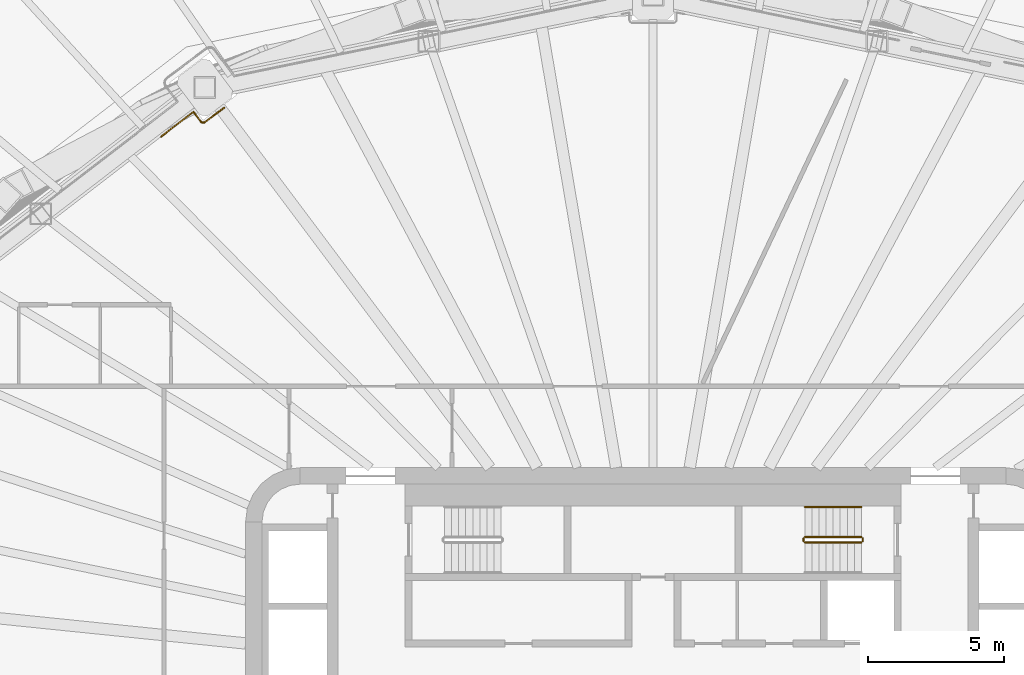
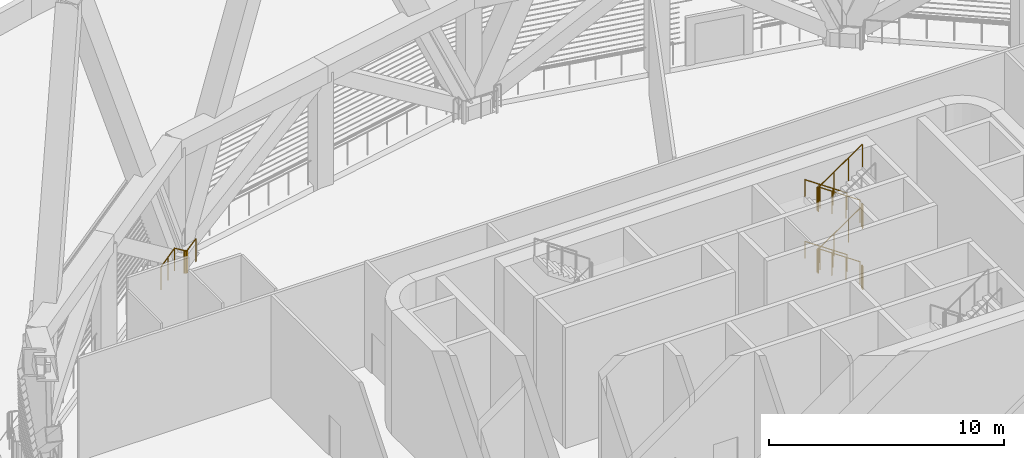
# One storey, part 22 of 27: 11 railings.
"""IFC4 building model written with IfcOpenShell, lengths in metres."""

from ifc_helpers import new_model, si_unit, direction, frame, origin, origin_2d, place, context, subcontext, project, spatial, circle, extrude, material, type_object, element, save


model = new_model("IFC4")

# Units and contexts
model_context = context("Model", 3, precision=1e-05, world=origin(), true_north=direction((0.0, 1.0)))
body_context = subcontext(model_context, "Body", "Model", "MODEL_VIEW")
ifc_project = project(units=[si_unit("LENGTHUNIT", "METRE"), si_unit("AREAUNIT", "SQUARE_METRE"), si_unit("VOLUMEUNIT", "CUBIC_METRE"), si_unit("PLANEANGLEUNIT", "RADIAN"), si_unit("MASSUNIT", "GRAM", prefix="KILO")], contexts=[model_context])

# Site, building, storey
site_placement = place(None, origin())
site = spatial("IfcSite", under=ifc_project, at=site_placement, CompositionType="ELEMENT")
building_placement = place(site_placement, origin())
building = spatial("IfcBuilding", under=site, at=building_placement, Name="Sahrelin Media Tower", CompositionType="ELEMENT")
storey_placement = place(building_placement, frame((0.0, 0.0, 44.0)))
storey = spatial("IfcBuildingStorey", under=building, at=storey_placement, Name="L06", CompositionType="ELEMENT", Elevation=44.0)

# Railings
ifc_material_1 = material(Name="Stainless steel 316", Category="steel")
railing_type_1 = type_object("IfcRailingType", Name="Maintenance platform guard", PredefinedType="GUARDRAIL", material=ifc_material_1)
railing_1_placement = place(storey_placement, frame((-18.108154296875, 20.19140625, 0.0)))
element("IfcRailing", 1, at=railing_1_placement, inside=storey, type_object=railing_type_1, Name="Plant level edge guard 5", PredefinedType="GUARDRAIL", context=body_context, shape_type="SweptSolid", body=[
    extrude(circle(Radius=0.02392578125, at=origin_2d()), frame((0.0, 0.0, 1.17578125), z_axis=(0.792496907221, 0.609875931682, 0.0), x_axis=(-0.609875931682, 0.792496907221, 0.0)), (0.0, 0.0, 1.0), 1.5),
    extrude(circle(Radius=0.02392578125, at=origin_2d()), frame((1.188720703125, 0.914794921875, 1.17578125), z_axis=(0.6, -0.8, 0.0), x_axis=(0.8, 0.6, 0.0)), (0.0, 0.0, 1.0), 0.440673828125),
    extrude(circle(Radius=0.02392578125, at=origin_2d()), frame((1.453125, 0.562255859375, 1.17578125), z_axis=(0.621394711002, -0.78349767909, 0.0), x_axis=(0.78349767909, 0.621394711002, 0.0)), (0.0, 0.0, 1.0), 0.009033203125),
    extrude(circle(Radius=0.02392578125, at=origin_2d()), frame((1.458740234375, 0.55517578125, 1.17578125), z_axis=(0.715376179206, -0.698739523875, 0.0), x_axis=(0.698739523875, 0.715376179206, 0.0)), (0.0, 0.0, 1.0), 0.0146484375),
    extrude(circle(Radius=0.02392578125, at=origin_2d()), frame((1.46923828125, 0.544921875, 1.17578125), z_axis=(0.8, -0.6, 0.0), x_axis=(0.6, 0.8, 0.0)), (0.0, 0.0, 1.0), 0.010986328125),
    extrude(circle(Radius=0.02392578125, at=origin_2d()), frame((1.47802734375, 0.538330078125, 1.17578125), z_axis=(0.82039816677, -0.571792661688, 0.0), x_axis=(0.571792661688, 0.82039816677, 0.0)), (0.0, 0.0, 1.0), 0.009765625),
    extrude(circle(Radius=0.02392578125, at=origin_2d()), frame((1.486083984375, 0.53271484375, 1.17578125), z_axis=(0.885397902838, -0.46483389899, 0.0), x_axis=(0.46483389899, 0.885397902838, 0.0)), (0.0, 0.0, 1.0), 0.010986328125),
    extrude(circle(Radius=0.02392578125, at=origin_2d()), frame((1.495849609375, 0.527587890625, 1.17578125), z_axis=(0.911586756889, -0.411107753107, 0.0), x_axis=(0.411107753107, 0.911586756889, 0.0)), (0.0, 0.0, 1.0), 0.013671875),
    extrude(circle(Radius=0.02392578125, at=origin_2d()), frame((1.50830078125, 0.52197265625, 1.17578125), z_axis=(0.967822506788, -0.251633851765, 0.0), x_axis=(0.251633851765, 0.967822506788, 0.0)), (0.0, 0.0, 1.0), 0.0126953125),
    extrude(circle(Radius=0.02392578125, at=origin_2d()), frame((1.5205078125, 0.518798828125, 1.17578125), z_axis=(0.979602700641, -0.200944143721, 0.0), x_axis=(0.200944143721, 0.979602700641, 0.0)), (0.0, 0.0, 1.0), 0.009765625),
    extrude(circle(Radius=0.02392578125, at=origin_2d()), frame((1.530029296875, 0.516845703125, 1.17578125), z_axis=(0.99503719021, -0.099503719021, 0.0), x_axis=(0.099503719021, 0.99503719021, 0.0)), (0.0, 0.0, 1.0), 0.01220703125),
    extrude(circle(Radius=0.02392578125, at=origin_2d()), frame((1.542236328125, 0.515625, 1.17578125), z_axis=(1.0, 0.0, 0.0), x_axis=(0.0, 1.0, 0.0)), (0.0, 0.0, 1.0), 0.01220703125),
    extrude(circle(Radius=0.02392578125, at=origin_2d()), frame((1.554443359375, 0.515625, 1.17578125), z_axis=(0.99522852512, 0.097571424031, 0.0), x_axis=(-0.097571424031, 0.99522852512, 0.0)), (0.0, 0.0, 1.0), 0.012451171875),
    extrude(circle(Radius=0.02392578125, at=origin_2d()), frame((1.56689453125, 0.516845703125, 1.17578125), z_axis=(0.978980419738, 0.203954254112, 0.0), x_axis=(-0.203954254112, 0.978980419738, 0.0)), (0.0, 0.0, 1.0), 0.011962890625),
    extrude(circle(Radius=0.02392578125, at=origin_2d()), frame((1.57861328125, 0.519287109375, 1.17578125), z_axis=(0.950605456491, 0.310401781711, 0.0), x_axis=(-0.310401781711, 0.950605456491, 0.0)), (0.0, 0.0, 1.0), 0.0126953125),
    extrude(circle(Radius=0.02392578125, at=origin_2d()), frame((1.590576171875, 0.523193359375, 1.17578125), z_axis=(0.91785703596, 0.396911150685, 0.0), x_axis=(-0.396911150685, 0.91785703596, 0.0)), (0.0, 0.0, 1.0), 0.009765625),
    extrude(circle(Radius=0.02392578125, at=origin_2d()), frame((1.599609375, 0.527099609375, 1.17578125), z_axis=(0.890043364859, 0.455875869806, 0.0), x_axis=(-0.455875869806, 0.890043364859, 0.0)), (0.0, 0.0, 1.0), 0.01123046875),
    extrude(circle(Radius=0.02392578125, at=origin_2d()), frame((1.609619140625, 0.5322265625, 1.17578125), z_axis=(0.828588968691, 0.559857411278, 0.0), x_axis=(-0.559857411278, 0.828588968691, 0.0)), (0.0, 0.0, 1.0), 0.010986328125),
    extrude(circle(Radius=0.02392578125, at=origin_2d()), frame((1.61865234375, 0.538330078125, 1.17578125), z_axis=(0.799865924291, 0.600178726013, 0.0), x_axis=(-0.600178726013, 0.799865924291, 0.0)), (0.0, 0.0, 1.0), 0.874267578125),
    extrude(circle(Radius=0.02099609375, at=origin_2d()), origin(), (0.0, 0.0, 1.0), 1.15185546875),
    extrude(circle(Radius=0.02099609375, at=origin_2d()), frame((0.59423828125, 0.45751953125, 0.0)), (0.0, 0.0, 1.0), 1.15185546875),
    extrude(circle(Radius=0.02099609375, at=origin_2d()), frame((1.188720703125, 0.914794921875, 0.0)), (0.0, 0.0, 1.0), 1.15185546875),
    extrude(circle(Radius=0.02099609375, at=origin_2d()), frame((1.453125, 0.562255859375, 0.0)), (0.0, 0.0, 1.0), 1.15185546875),
    extrude(circle(Radius=0.02099609375, at=origin_2d()), frame((1.458740234375, 0.55517578125, 0.0)), (0.0, 0.0, 1.0), 1.15185546875),
    extrude(circle(Radius=0.02099609375, at=origin_2d()), frame((1.46923828125, 0.544921875, 0.0)), (0.0, 0.0, 1.0), 1.15185546875),
    extrude(circle(Radius=0.02099609375, at=origin_2d()), frame((1.47802734375, 0.538330078125, 0.0)), (0.0, 0.0, 1.0), 1.15185546875),
    extrude(circle(Radius=0.02099609375, at=origin_2d()), frame((1.486083984375, 0.53271484375, 0.0)), (0.0, 0.0, 1.0), 1.15185546875),
    extrude(circle(Radius=0.02099609375, at=origin_2d()), frame((1.495849609375, 0.527587890625, 0.0)), (0.0, 0.0, 1.0), 1.15185546875),
    extrude(circle(Radius=0.02099609375, at=origin_2d()), frame((1.50830078125, 0.52197265625, 0.0)), (0.0, 0.0, 1.0), 1.15185546875),
    extrude(circle(Radius=0.02099609375, at=origin_2d()), frame((1.5205078125, 0.518798828125, 0.0)), (0.0, 0.0, 1.0), 1.15185546875),
    extrude(circle(Radius=0.02099609375, at=origin_2d()), frame((1.530029296875, 0.516845703125, 0.0)), (0.0, 0.0, 1.0), 1.15185546875),
    extrude(circle(Radius=0.02099609375, at=origin_2d()), frame((1.542236328125, 0.515625, 0.0)), (0.0, 0.0, 1.0), 1.15185546875),
    extrude(circle(Radius=0.02099609375, at=origin_2d()), frame((1.554443359375, 0.515625, 0.0)), (0.0, 0.0, 1.0), 1.15185546875),
    extrude(circle(Radius=0.02099609375, at=origin_2d()), frame((1.56689453125, 0.516845703125, 0.0)), (0.0, 0.0, 1.0), 1.15185546875),
    extrude(circle(Radius=0.02099609375, at=origin_2d()), frame((1.57861328125, 0.519287109375, 0.0)), (0.0, 0.0, 1.0), 1.15185546875),
    extrude(circle(Radius=0.02099609375, at=origin_2d()), frame((1.590576171875, 0.523193359375, 0.0)), (0.0, 0.0, 1.0), 1.15185546875),
    extrude(circle(Radius=0.02099609375, at=origin_2d()), frame((1.599609375, 0.527099609375, 0.0)), (0.0, 0.0, 1.0), 1.15185546875),
    extrude(circle(Radius=0.02099609375, at=origin_2d()), frame((1.609619140625, 0.5322265625, 0.0)), (0.0, 0.0, 1.0), 1.15185546875),
    extrude(circle(Radius=0.02099609375, at=origin_2d()), frame((1.61865234375, 0.538330078125, 0.0)), (0.0, 0.0, 1.0), 1.15185546875),
    extrude(circle(Radius=0.02099609375, at=origin_2d()), frame((2.31787109375, 1.06298828125, 0.0)), (0.0, 0.0, 1.0), 1.15185546875),
])
ifc_material_2 = material(Name="Steel S355", Category="steel")
railing_type_2 = type_object("IfcRailingType", Name="Stair guard 1200", PredefinedType="GUARDRAIL", material=ifc_material_2)
railing_2_placement = place(storey_placement, frame((7.675048828125, 5.449951171875, 0.177734375)))
element("IfcRailing", 2, at=railing_2_placement, inside=storey, type_object=railing_type_2, Name="L06 ST3 stair guard 1", PredefinedType="GUARDRAIL", context=body_context, shape_type="SweptSolid", body=[
    extrude(circle(Radius=0.02392578125, at=origin_2d()), frame((0.0, 0.0, 1.17578125), z_axis=(-0.825464074169, 0.0, 0.564454659168), x_axis=(0.0, -1.0, 0.0)), (0.0, 0.0, 1.0), 2.519775390625),
    extrude(circle(Radius=0.02099609375, at=origin_2d()), origin(), (0.0, 0.0, 1.0), 1.15185546875),
    extrude(circle(Radius=0.02099609375, at=origin_2d()), frame((-0.693359375, 0.0, 0.47412109375)), (0.0, 0.0, 1.0), 1.15185546875),
    extrude(circle(Radius=0.02099609375, at=origin_2d()), frame((-1.38671875, 0.0, 0.9482421875)), (0.0, 0.0, 1.0), 1.15185546875),
    extrude(circle(Radius=0.02099609375, at=origin_2d()), frame((-2.080078125, 0.0, 1.42236328125)), (0.0, 0.0, 1.0), 1.15185546875),
])
railing_3_placement = place(storey_placement, frame((5.544921875, 5.39990234375, 1.60009765625)))
element("IfcRailing", 3, at=railing_3_placement, inside=storey, type_object=railing_type_2, Name="L06 ST3 stair guard 2", PredefinedType="GUARDRAIL", context=body_context, shape_type="SweptSolid", body=[
    extrude(circle(Radius=0.02392578125, at=origin_2d()), frame((0.0, 0.0, 1.17578125), z_axis=(0.0, -1.0, 0.0), x_axis=(1.0, 0.0, 0.0)), (0.0, 0.0, 1.0), 0.099853515625),
    extrude(circle(Radius=0.02099609375, at=origin_2d()), origin(), (0.0, 0.0, 1.0), 1.15185546875),
    extrude(circle(Radius=0.02099609375, at=origin_2d()), frame((0.0, -0.099853515625, 0.0)), (0.0, 0.0, 1.0), 1.15185546875),
])
railing_4_placement = place(storey_placement, frame((5.594970703125, 5.25, 1.77783203125)))
element("IfcRailing", 4, at=railing_4_placement, inside=storey, type_object=railing_type_2, Name="L06 ST3 stair guard 3", PredefinedType="GUARDRAIL", context=body_context, shape_type="SweptSolid", body=[
    extrude(circle(Radius=0.02392578125, at=origin_2d()), frame((0.0, 0.0, 1.17578125), z_axis=(0.82550921652, 0.0, 0.564388636881), x_axis=(0.0, 1.0, 0.0)), (0.0, 0.0, 1.0), 2.519775390625),
    extrude(circle(Radius=0.02099609375, at=origin_2d()), origin(), (0.0, 0.0, 1.0), 1.15185546875),
    extrude(circle(Radius=0.02099609375, at=origin_2d()), frame((0.693359375, 0.0, 0.47412109375)), (0.0, 0.0, 1.0), 1.15185546875),
    extrude(circle(Radius=0.02099609375, at=origin_2d()), frame((1.38671875, 0.0, 0.947998046875)), (0.0, 0.0, 1.0), 1.15185546875),
    extrude(circle(Radius=0.02099609375, at=origin_2d()), frame((2.080078125, 0.0, 1.422119140625)), (0.0, 0.0, 1.0), 1.15185546875),
])
railing_5_placement = place(storey_placement, frame((7.72509765625, 5.39990234375, 3.199951171875)))
element("IfcRailing", 5, at=railing_5_placement, inside=storey, type_object=railing_type_2, Name="L06 ST3 stair guard 4", PredefinedType="GUARDRAIL", context=body_context, shape_type="SweptSolid", body=[
    extrude(circle(Radius=0.02392578125, at=origin_2d()), frame((0.0, 0.0, 1.17578125), z_axis=(0.0, -1.0, 0.0), x_axis=(1.0, 0.0, 0.0)), (0.0, 0.0, 1.0), 0.099853515625),
    extrude(circle(Radius=0.02099609375, at=origin_2d()), origin(), (0.0, 0.0, 1.0), 1.15185546875),
    extrude(circle(Radius=0.02099609375, at=origin_2d()), frame((0.0, -0.099853515625, 0.0)), (0.0, 0.0, 1.0), 1.15185546875),
])
railing_6_placement = place(storey_placement, frame((7.675048828125, 5.449951171875, 3.377685546875)))
element("IfcRailing", 6, at=railing_6_placement, inside=storey, type_object=railing_type_2, Name="L06 ST3 stair guard 5", PredefinedType="GUARDRAIL", context=body_context, shape_type="SweptSolid", body=[
    extrude(circle(Radius=0.02392578125, at=origin_2d()), frame((0.0, 0.0, 1.17578125), z_axis=(-0.825464074169, 0.0, 0.564454659168), x_axis=(0.0, -1.0, 0.0)), (0.0, 0.0, 1.0), 2.519775390625),
    extrude(circle(Radius=0.02099609375, at=origin_2d()), origin(), (0.0, 0.0, 1.0), 1.15185546875),
    extrude(circle(Radius=0.02099609375, at=origin_2d()), frame((-0.693359375, 0.0, 0.47412109375)), (0.0, 0.0, 1.0), 1.15185546875),
    extrude(circle(Radius=0.02099609375, at=origin_2d()), frame((-1.38671875, 0.0, 0.9482421875)), (0.0, 0.0, 1.0), 1.15185546875),
    extrude(circle(Radius=0.02099609375, at=origin_2d()), frame((-2.080078125, 0.0, 1.42236328125)), (0.0, 0.0, 1.0), 1.15185546875),
])
railing_7_placement = place(storey_placement, frame((5.544921875, 5.39990234375, 4.800048828125)))
element("IfcRailing", 7, at=railing_7_placement, inside=storey, type_object=railing_type_2, Name="L06 ST3 stair guard 6", PredefinedType="GUARDRAIL", context=body_context, shape_type="SweptSolid", body=[
    extrude(circle(Radius=0.02392578125, at=origin_2d()), frame((0.0, 0.0, 1.17578125), z_axis=(0.0, -1.0, 0.0), x_axis=(1.0, 0.0, 0.0)), (0.0, 0.0, 1.0), 0.099853515625),
    extrude(circle(Radius=0.02099609375, at=origin_2d()), origin(), (0.0, 0.0, 1.0), 1.15185546875),
    extrude(circle(Radius=0.02099609375, at=origin_2d()), frame((0.0, -0.099853515625, 0.0)), (0.0, 0.0, 1.0), 1.15185546875),
])
railing_8_placement = place(storey_placement, frame((5.594970703125, 5.25, 4.977783203125)))
element("IfcRailing", 8, at=railing_8_placement, inside=storey, type_object=railing_type_2, Name="L06 ST3 stair guard 7", PredefinedType="GUARDRAIL", context=body_context, shape_type="SweptSolid", body=[
    extrude(circle(Radius=0.02392578125, at=origin_2d()), frame((0.0, 0.0, 1.17578125), z_axis=(0.82550921652, 0.0, 0.564388636881), x_axis=(0.0, 1.0, 0.0)), (0.0, 0.0, 1.0), 2.519775390625),
    extrude(circle(Radius=0.02099609375, at=origin_2d()), origin(), (0.0, 0.0, 1.0), 1.15185546875),
    extrude(circle(Radius=0.02099609375, at=origin_2d()), frame((0.693359375, 0.0, 0.47412109375)), (0.0, 0.0, 1.0), 1.15185546875),
    extrude(circle(Radius=0.02099609375, at=origin_2d()), frame((1.38671875, 0.0, 0.947998046875)), (0.0, 0.0, 1.0), 1.15185546875),
    extrude(circle(Radius=0.02099609375, at=origin_2d()), frame((2.080078125, 0.0, 1.422119140625)), (0.0, 0.0, 1.0), 1.15185546875),
])
railing_9_placement = place(storey_placement, frame((7.72509765625, 5.39990234375, 0.0)))
element("IfcRailing", 9, at=railing_9_placement, inside=storey, type_object=railing_type_2, Name="L06 ST3 stair guard 8", PredefinedType="GUARDRAIL", context=body_context, shape_type="SweptSolid", body=[
    extrude(circle(Radius=0.02392578125, at=origin_2d()), frame((0.0, 0.0, 1.17578125), z_axis=(0.0, -1.0, 0.0), x_axis=(1.0, 0.0, 0.0)), (0.0, 0.0, 1.0), 0.099853515625),
    extrude(circle(Radius=0.02099609375, at=origin_2d()), origin(), (0.0, 0.0, 1.0), 1.15185546875),
    extrude(circle(Radius=0.02099609375, at=origin_2d()), frame((0.0, -0.099853515625, 0.0)), (0.0, 0.0, 1.0), 1.15185546875),
])
railing_type_3 = type_object("IfcRailingType", Name="Stair handrail 900", PredefinedType="HANDRAIL", material=ifc_material_2)
for number, where, name in (
    (10, (7.675048828125, 6.550048828125, 0.177734375), "L06 ST3 stair handrail 1"),
    (11, (7.675048828125, 6.550048828125, 3.377685546875), "L06 ST3 stair handrail 3"),
):
    element("IfcRailing", number, at=place(storey_placement, frame(where)), inside=storey, type_object=railing_type_3, Name=name, PredefinedType="HANDRAIL", context=body_context, shape_type="SweptSolid", body=[
        extrude(circle(Radius=0.02392578125, at=origin_2d()), frame((0.0, 0.0, 0.8759765625), z_axis=(-0.825464074169, 0.0, 0.564454659168), x_axis=(0.0, -1.0, 0.0)), (0.0, 0.0, 1.0), 2.519775390625),
        extrude(circle(Radius=0.02099609375, at=origin_2d()), origin(), (0.0, 0.0, 1.0), 0.851806640625),
        extrude(circle(Radius=0.02099609375, at=origin_2d()), frame((-0.693359375, 0.0, 0.47412109375)), (0.0, 0.0, 1.0), 0.851806640625),
        extrude(circle(Radius=0.02099609375, at=origin_2d()), frame((-1.38671875, 0.0, 0.9482421875)), (0.0, 0.0, 1.0), 0.851806640625),
        extrude(circle(Radius=0.02099609375, at=origin_2d()), frame((-2.080078125, 0.0, 1.42236328125)), (0.0, 0.0, 1.0), 0.851806640625),
    ])

save(model, "model.ifc")
